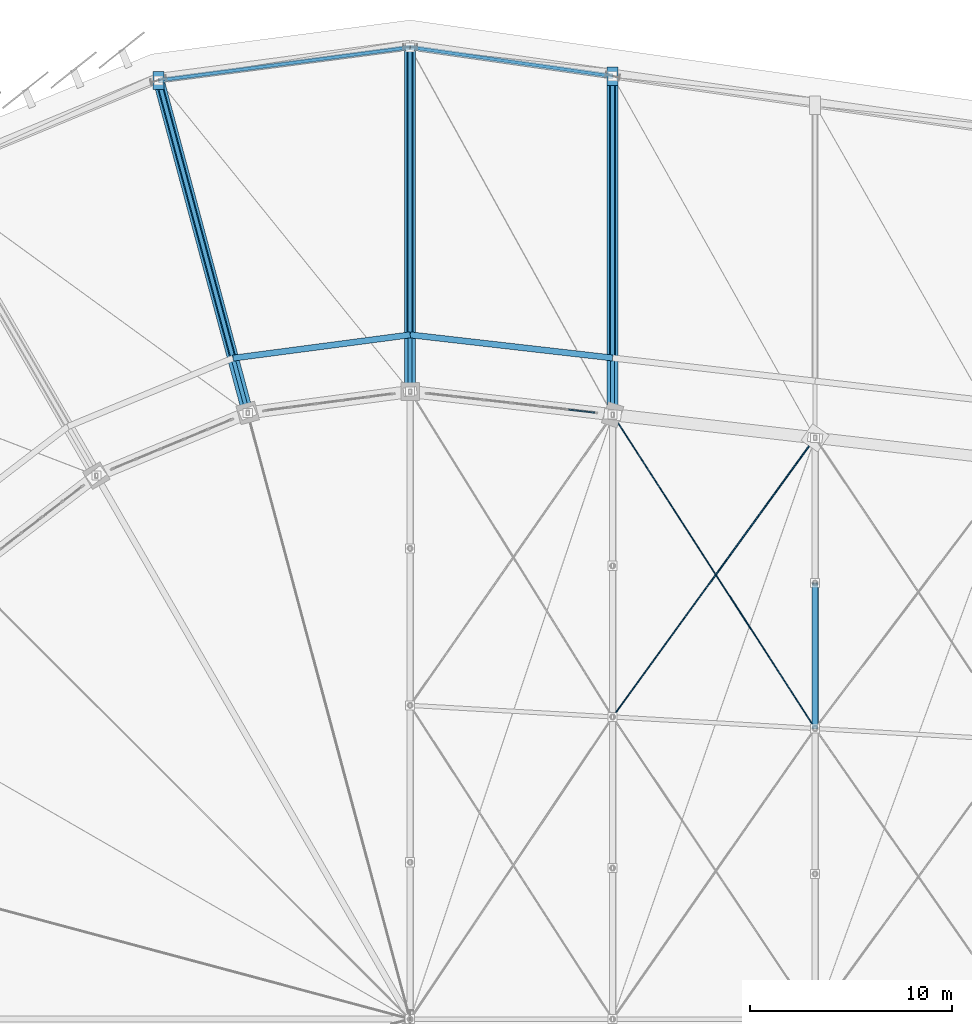
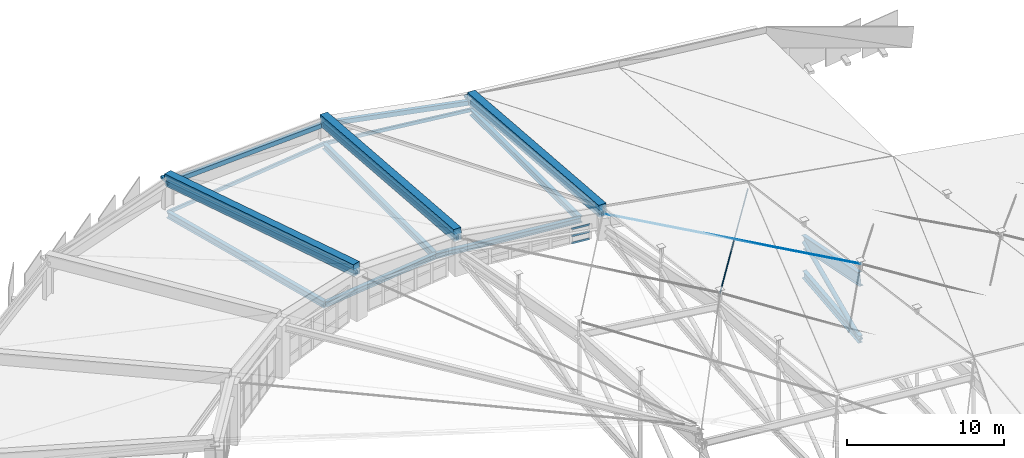
# One storey, part 35 of 68: 14 beams, 11 members, 1 element without a shape of its own.
"""IFC4 building model written with IfcOpenShell, lengths in metres."""

from ifc_helpers import new_model, si_unit, direction, frame, origin, origin_2d, place, context, subcontext, project, spatial, rectangle, hollow_rectangle, circle, hollow_circle, i_section, extrude, material, layer, layer_set, material_profile, profile_set, type_object, element, aggregate, save


model = new_model("IFC4")

# Units and contexts
model_context = context("Model", 3, precision=1e-05, world=origin(), true_north=direction((0.0, 1.0)))
body_context = subcontext(model_context, "Body", "Model", "MODEL_VIEW")
ifc_project = project(units=[si_unit("LENGTHUNIT", "METRE"), si_unit("AREAUNIT", "SQUARE_METRE"), si_unit("VOLUMEUNIT", "CUBIC_METRE"), si_unit("PLANEANGLEUNIT", "RADIAN"), si_unit("MASSUNIT", "GRAM", prefix="KILO")], contexts=[model_context])

# Site, building, storey
site_placement = place(None, origin())
site = spatial("IfcSite", under=ifc_project, at=site_placement, CompositionType="ELEMENT")
building_placement = place(site_placement, origin())
building = spatial("IfcBuilding", under=site, at=building_placement, Name="Sohan Crest Arena", CompositionType="ELEMENT")
storey_placement = place(building_placement, frame((0.0, 0.0, 27.0)))
storey = spatial("IfcBuildingStorey", under=building, at=storey_placement, Name="RF", CompositionType="ELEMENT", Elevation=27.0)

# Curtain wall, members
ifc_material_1 = material(Name="Thermally broken anodised aluminium", Category="aluminium")
ifc_layer = layer(ifc_material_1, 0.18994140625, Name="Thermally broken anodised aluminium")
ifc_layer_set = layer_set([ifc_layer], Name="Thermally broken anodised aluminium")
curtain_wall_type = type_object("IfcCurtainWallType", Name="ARC-CW05", PredefinedType="NOTDEFINED", material=ifc_layer_set)
curtain_wall_placement = place(storey_placement, origin())
curtain_wall = element("IfcCurtainWall", 1, at=curtain_wall_placement, inside=storey, type_object=curtain_wall_type, Name="Unitised curtain wall CW-201", PredefinedType="NOTDEFINED")
ifc_material_profile_1 = material_profile(ifc_material_1, rectangle(XDim=0.06494140625, YDim=0.139892578125, at=origin_2d()), Name="ALU-TRAN 65x140")
ifc_profile_set_1 = profile_set([ifc_material_profile_1], Name="Thermally broken anodised aluminium")
member_type_1 = type_object("IfcMemberType", Name="ARC-CW-TR02", PredefinedType="USERDEFINED", material=ifc_profile_set_1)
member_1_placement = place(storey_placement, frame((107.115478515625, 107.9580078125, 0.032470703125), z_axis=(-0.993537517414, 0.113504191511, 0.0), x_axis=(-0.113504191511, -0.993537517414, 0.0)))
member_1 = element("IfcMember", 2, at=member_1_placement, type_object=member_type_1, Name="CW-201 transom 1.1", ObjectType="TRANSOM", PredefinedType="USERDEFINED", context=body_context, shape_type="SweptSolid", body=[
    extrude(rectangle(XDim=0.06494140625, YDim=0.139892578125, at=origin_2d()), origin(), (0.0, 0.0, 1.0), 1.299072265625),
])
member_2_placement = place(storey_placement, frame((107.115478515625, 107.9580078125, 0.583984375), z_axis=(-0.993537517414, 0.113504191511, 0.0), x_axis=(-0.113504191511, -0.993537517414, 0.0)))
member_2 = element("IfcMember", 3, at=member_2_placement, type_object=member_type_1, Name="CW-201 transom 1.2", ObjectType="TRANSOM", PredefinedType="USERDEFINED", context=body_context, shape_type="SweptSolid", body=[
    extrude(rectangle(XDim=0.06494140625, YDim=0.139892578125, at=origin_2d()), origin(), (0.0, 0.0, 1.0), 1.299072265625),
])
member_3_placement = place(storey_placement, frame((107.115478515625, 107.9580078125, 1.134521484375), z_axis=(-0.993537517414, 0.113504191511, 0.0), x_axis=(-0.113504191511, -0.993537517414, 0.0)))
member_3 = element("IfcMember", 4, at=member_3_placement, type_object=member_type_1, Name="CW-201 transom 1.3", ObjectType="TRANSOM", PredefinedType="USERDEFINED", context=body_context, shape_type="SweptSolid", body=[
    extrude(rectangle(XDim=0.06494140625, YDim=0.139892578125, at=origin_2d()), origin(), (0.0, 0.0, 1.0), 1.299072265625),
])
aggregate(curtain_wall, [member_1, member_2, member_3])

# Beams
ifc_material_2 = material(Name="Steel S355", Category="steel")
ifc_material_profile_2 = material_profile(ifc_material_2, i_section(OverallWidth=0.300048828125, OverallDepth=0.389892578125, WebThickness=0.010986328125, FlangeThickness=0.01904296875, at=origin_2d()), Name="HEA 400")
ifc_profile_set_2 = profile_set([ifc_material_profile_2], Name="Steel S355")
beam_type_1 = type_object("IfcBeamType", Name="STR-BM-B09", PredefinedType="BEAM", material=ifc_profile_set_2)
beam_1_placement = place(storey_placement, frame((98.0, 111.800048828125, -0.4150390625), z_axis=(-0.991439032147, -0.130570461953, 0.0), x_axis=(0.130570461953, -0.991439032147, 0.0)))
element("IfcBeam", 5, at=beam_1_placement, inside=storey, type_object=beam_type_1, Name="Structural beam RG-RF-1867", PredefinedType="BEAM", context=body_context, shape_type="SweptSolid", body=[
    extrude(i_section(OverallWidth=0.300048828125, OverallDepth=0.389892578125, WebThickness=0.010986328125, FlangeThickness=0.01904296875, at=origin_2d()), origin(), (0.0, 0.0, 1.0), 8.823486328125),
])
beam_2_placement = place(storey_placement, frame((108.0, 110.656982421875, -0.4150390625), z_axis=(-0.99353032697, 0.113567114035, 0.0), x_axis=(-0.113567114035, -0.99353032697, 0.0)))
element("IfcBeam", 6, at=beam_2_placement, inside=storey, type_object=beam_type_1, Name="Structural beam RG-RF-1919", PredefinedType="BEAM", context=body_context, shape_type="SweptSolid", body=[
    extrude(i_section(OverallWidth=0.300048828125, OverallDepth=0.389892578125, WebThickness=0.010986328125, FlangeThickness=0.01904296875, at=origin_2d()), origin(), (0.0, 0.0, 1.0), 10.065185546875),
])
ifc_material_profile_3 = material_profile(ifc_material_2, i_section(OverallWidth=0.300048828125, OverallDepth=0.489990234375, WebThickness=0.011962890625, FlangeThickness=0.02294921875, at=origin_2d()), Name="HEA 500")
ifc_profile_set_3 = profile_set([ifc_material_profile_3], Name="Steel S355")
beam_type_2 = type_object("IfcBeamType", Name="STR-BM-B10", PredefinedType="BEAM", material=ifc_profile_set_3)
for number, where, z_axis, x_axis, name in (
    (7, (98.0, 111.800048828125, -0.465087890625), (0.0, 1.0, 0.0), (-1.0, 0.0, 0.0), "Structural beam RG-RF-1865"),
    (8, (89.251953125, 110.64794921875, -0.465087890625), (-0.258808560729, 0.965928635508, 0.0), (-0.965928635508, -0.258808560729, 0.0), "Structural beam RG-RF-1868"),
):
    element("IfcBeam", number, at=place(storey_placement, frame(where, z_axis=z_axis, x_axis=x_axis)), inside=storey, type_object=beam_type_2, Name=name, PredefinedType="BEAM", context=body_context, shape_type="SweptSolid", body=[
        extrude(i_section(OverallWidth=0.300048828125, OverallDepth=0.489990234375, WebThickness=0.011962890625, FlangeThickness=0.02294921875, at=origin_2d()), origin(), (0.0, 0.0, 1.0), 14.199951171875),
    ])
beam_3_placement = place(storey_placement, frame((108.0, 110.656982421875, -0.465087890625), z_axis=(0.0, 1.0, 0.0), x_axis=(-1.0, 0.0, 0.0)))
element("IfcBeam", 9, at=beam_3_placement, inside=storey, type_object=beam_type_2, Name="Structural beam RG-RF-1917", PredefinedType="BEAM", context=body_context, shape_type="SweptSolid", body=[
    extrude(i_section(OverallWidth=0.300048828125, OverallDepth=0.489990234375, WebThickness=0.011962890625, FlangeThickness=0.02294921875, at=origin_2d()), origin(), (0.0, 0.0, 1.0), 13.9140625),
])
ifc_material_profile_4 = material_profile(ifc_material_2, i_section(OverallWidth=0.300048828125, OverallDepth=0.60009765625, WebThickness=0.015380859375, FlangeThickness=0.030029296875, at=origin_2d()), Name="HEB 600")
ifc_profile_set_4 = profile_set([ifc_material_profile_4], Name="Steel S355")
beam_type_3 = type_object("IfcBeamType", Name="STR-BM-B15", PredefinedType="BEAM", material=ifc_profile_set_4)
beam_4_placement = place(storey_placement, frame((118.0, 92.35693359375, -2.1630859375), z_axis=(0.0, 0.994585605734, 0.103920512255), x_axis=(-1.0, 0.0, 0.0)))
element("IfcBeam", 10, at=beam_4_placement, inside=storey, type_object=beam_type_3, Name="Structural beam RAB-RF-3061", PredefinedType="BEAM", context=body_context, shape_type="SweptSolid", body=[
    extrude(i_section(OverallWidth=0.300048828125, OverallDepth=0.60009765625, WebThickness=0.015380859375, FlangeThickness=0.030029296875, at=origin_2d()), origin(), (0.0, 0.0, 1.0), 7.217041015625),
])
ifc_material_profile_5 = material_profile(ifc_material_2, i_section(OverallWidth=0.300048828125, OverallDepth=1.0, WebThickness=0.01904296875, FlangeThickness=0.035888671875, at=origin_2d()), Name="HEB 1000")
ifc_profile_set_5 = profile_set([ifc_material_profile_5], Name="Steel S355")
beam_type_4 = type_object("IfcBeamType", Name="STR-BM-B19", PredefinedType="BEAM", material=ifc_profile_set_5)
beam_5_placement = place(storey_placement, frame((118.0, 92.35693359375, 2.52392578125), z_axis=(0.0, 0.980389115196, -0.197071516983), x_axis=(-1.0, 0.0, 0.0)))
element("IfcBeam", 11, at=beam_5_placement, inside=storey, type_object=beam_type_4, Name="Structural beam RA-RF-3060", PredefinedType="BEAM", context=body_context, shape_type="SweptSolid", body=[
    extrude(i_section(OverallWidth=0.300048828125, OverallDepth=1.0, WebThickness=0.01904296875, FlangeThickness=0.035888671875, at=origin_2d()), origin(), (0.0, 0.0, 1.0), 7.321533203125),
])
ifc_material_3 = material(Name="Precast concrete C50/60", Category="concrete")
ifc_material_profile_6 = material_profile(ifc_material_3, rectangle(XDim=0.550048828125, YDim=0.89990234375, at=origin_2d()), Name="RAKER 550x900")
ifc_profile_set_6 = profile_set([ifc_material_profile_6], Name="Precast concrete C50/60")
beam_type_5 = type_object("IfcBeamType", Name="STR-BM-RK01", PredefinedType="USERDEFINED", material=ifc_profile_set_6)
beam_6_placement = place(storey_placement, frame((98.0, 109.0, 2.89111328125), z_axis=(0.0, 0.996861269151, -0.079168239005), x_axis=(-1.0, 0.0, 0.0)))
element("IfcBeam", 12, at=beam_6_placement, inside=storey, type_object=beam_type_5, Name="Perimeter radial apron raker RKB-01", ObjectType="RAKER", PredefinedType="USERDEFINED", context=body_context, shape_type="SweptSolid", body=[
    extrude(rectangle(XDim=0.550048828125, YDim=0.89990234375, at=origin_2d()), origin(), (0.0, 0.0, 1.0), 17.053466796875),
])
beam_7_placement = place(storey_placement, frame((89.97705078125, 107.944091796875, 3.657958984375), z_axis=(-0.25803107016, 0.962888401192, -0.079157398153), x_axis=(-0.965919330438, -0.258843286733, 0.0)))
element("IfcBeam", 13, at=beam_7_placement, inside=storey, type_object=beam_type_5, Name="Perimeter radial apron raker RKB-02", ObjectType="RAKER", PredefinedType="USERDEFINED", context=body_context, shape_type="SweptSolid", body=[
    extrude(rectangle(XDim=0.550048828125, YDim=0.89990234375, at=origin_2d()), origin(), (0.0, 0.0, 1.0), 17.052734375),
])
beam_8_placement = place(storey_placement, frame((85.576904296875, 124.364013671875, 2.30810546875), z_axis=(0.0, 0.0, -1.0), x_axis=(1.0, 0.0, 0.0)))
element("IfcBeam", 14, at=beam_8_placement, inside=storey, type_object=beam_type_5, Name="Perimeter cantilever nose bracket RKC-02", ObjectType="RAKER", PredefinedType="USERDEFINED", context=body_context, shape_type="SweptSolid", body=[
    extrude(rectangle(XDim=0.550048828125, YDim=0.89990234375, at=origin_2d()), origin(), (0.0, 0.0, 1.0), 0.2001953125),
])
beam_9_placement = place(storey_placement, frame((108.0, 107.85693359375, 1.962890625), z_axis=(0.0, 0.996754672322, -0.080499212446), x_axis=(-1.0, 0.0, 0.0)))
element("IfcBeam", 15, at=beam_9_placement, inside=storey, type_object=beam_type_5, Name="Perimeter radial apron raker RKB-34", ObjectType="RAKER", PredefinedType="USERDEFINED", context=body_context, shape_type="SweptSolid", body=[
    extrude(rectangle(XDim=0.550048828125, YDim=0.89990234375, at=origin_2d()), origin(), (0.0, 0.0, 1.0), 16.7685546875),
])
beam_10_placement = place(storey_placement, frame((108.0, 124.571044921875, 0.613037109375), z_axis=(0.0, 0.0, -1.0), x_axis=(1.0, 0.0, 0.0)))
element("IfcBeam", 16, at=beam_10_placement, inside=storey, type_object=beam_type_5, Name="Perimeter cantilever nose bracket RKC-34", ObjectType="RAKER", PredefinedType="USERDEFINED", context=body_context, shape_type="SweptSolid", body=[
    extrude(rectangle(XDim=0.550048828125, YDim=0.89990234375, at=origin_2d()), origin(), (0.0, 0.0, 1.0), 0.199951171875),
])
ifc_material_profile_7 = material_profile(ifc_material_2, hollow_rectangle(XDim=0.14990234375, YDim=0.25, WallThickness=0.010009765625, at=origin_2d()), Name="RHS 250x150x10")
ifc_profile_set_7 = profile_set([ifc_material_profile_7], Name="Steel S355")
beam_type_6 = type_object("IfcBeamType", Name="STR-BM-SP02", PredefinedType="SPANDREL", material=ifc_profile_set_7)
beam_11_placement = place(storey_placement, frame((98.0, 126.0, -0.344970703125), z_axis=(-0.991440164207, -0.130561865783, 0.0), x_axis=(0.130561865783, -0.991440164207, 0.0)))
element("IfcBeam", 17, at=beam_11_placement, inside=storey, type_object=beam_type_6, Name="Structural beam SP-RF-1866", PredefinedType="SPANDREL", context=body_context, shape_type="SweptSolid", body=[
    extrude(hollow_rectangle(XDim=0.14990234375, YDim=0.25, WallThickness=0.010009765625, at=origin_2d()), origin(), (0.0, 0.0, 1.0), 12.5302734375),
])
beam_12_placement = place(storey_placement, frame((108.0, 124.571044921875, -0.344970703125), z_axis=(-0.989944175879, 0.141458575718, 0.0), x_axis=(-0.141458575718, -0.989944175879, 0.0)))
element("IfcBeam", 18, at=beam_12_placement, inside=storey, type_object=beam_type_6, Name="Structural beam SP-RF-1918", PredefinedType="SPANDREL", context=body_context, shape_type="SweptSolid", body=[
    extrude(hollow_rectangle(XDim=0.14990234375, YDim=0.25, WallThickness=0.010009765625, at=origin_2d()), origin(), (0.0, 0.0, 1.0), 10.1015625),
])

# Members
ifc_material_profile_8 = material_profile(ifc_material_2, hollow_circle(Radius=0.161865234375, WallThickness=0.012451171875, at=origin_2d()), Name="CHS 323.9x12.5")
ifc_profile_set_8 = profile_set([ifc_material_profile_8], Name="Steel S355")
member_type_2 = type_object("IfcMemberType", Name="STR-MEM-BR03", PredefinedType="BRACE", material=ifc_profile_set_8)
member_4_placement = place(storey_placement, frame((118.0, 92.35693359375, -2.1630859375), z_axis=(0.0, 0.91125280146, 0.411847461848), x_axis=(-1.0, 0.0, 0.0)))
element("IfcMember", 19, at=member_4_placement, inside=storey, type_object=member_type_2, Name="Lenticular roof truss web diagonal TD-130", PredefinedType="BRACE", context=body_context, shape_type="SweptSolid", body=[
    extrude(hollow_circle(Radius=0.161865234375, WallThickness=0.012451171875, at=origin_2d()), origin(), (0.0, 0.0, 1.0), 7.876953125),
])
ifc_material_4 = material(Name="Steel S460", Category="steel")
ifc_material_profile_9 = material_profile(ifc_material_4, circle(Radius=0.031982421875, at=origin_2d()), Name="FLC D64")
ifc_profile_set_9 = profile_set([ifc_material_profile_9], Name="Steel S460")
member_type_3 = type_object("IfcMemberType", Name="STR-MEM-CB01", PredefinedType="USERDEFINED", material=ifc_profile_set_9)
member_5_placement = place(storey_placement, frame((108.0, 92.927978515625, 4.60107421875), z_axis=(0.573183586843, 0.790198505417, -0.216902968654), x_axis=(-0.809469407214, 0.58716205496, 0.0)))
element("IfcMember", 20, at=member_5_placement, inside=storey, type_object=member_type_3, Name="Full-locked-coil roof cable CB-015", ObjectType="CABLE", PredefinedType="USERDEFINED", context=body_context, shape_type="SweptSolid", body=[
    extrude(circle(Radius=0.031982421875, at=origin_2d()), origin(), (0.0, 0.0, 1.0), 17.446533203125),
])
ifc_material_profile_10 = material_profile(ifc_material_4, circle(Radius=0.02587890625, at=origin_2d()), Name="FLC D52")
ifc_profile_set_10 = profile_set([ifc_material_profile_10], Name="Steel S460")
member_type_4 = type_object("IfcMemberType", Name="STR-MEM-CB02", PredefinedType="USERDEFINED", material=ifc_profile_set_10)
member_6_placement = place(storey_placement, frame((108.0, 107.85693359375, 1.712890625), z_axis=(0.538995518101, -0.835443053056, 0.107325377091), x_axis=(0.840296648224, 0.542126869822, 0.0)))
element("IfcMember", 21, at=member_6_placement, inside=storey, type_object=member_type_4, Name="Full-locked-coil roof cable CB-016", ObjectType="CABLE", PredefinedType="USERDEFINED", context=body_context, shape_type="SweptSolid", body=[
    extrude(circle(Radius=0.02587890625, at=origin_2d()), origin(), (0.0, 0.0, 1.0), 18.552978515625),
])
ifc_material_profile_11 = material_profile(ifc_material_2, hollow_rectangle(XDim=0.199951171875, YDim=0.300048828125, WallThickness=0.010009765625, at=origin_2d()), Name="RHS 300x200x10")
ifc_profile_set_11 = profile_set([ifc_material_profile_11], Name="Steel S355")
member_type_5 = type_object("IfcMemberType", Name="STR-MEM-CH03", PredefinedType="CHORD", material=ifc_profile_set_11)
member_7_placement = place(storey_placement, frame((98.0, 109.0, 2.64111328125), z_axis=(0.0, 0.996381215354, -0.084996903998), x_axis=(-1.0, 0.0, 0.0)))
element("IfcMember", 22, at=member_7_placement, inside=storey, type_object=member_type_5, Name="Outer roof-edge radial tie chord ORT-01", PredefinedType="CHORD", context=body_context, shape_type="SweptSolid", body=[
    extrude(hollow_rectangle(XDim=0.199951171875, YDim=0.300048828125, WallThickness=0.010009765625, at=origin_2d()), origin(), (0.0, 0.0, 1.0), 17.061767578125),
])
member_8_placement = place(storey_placement, frame((89.97705078125, 107.944091796875, 3.407958984375), z_axis=(-0.2579068221, 0.962424747663, -0.084986329493), x_axis=(-0.965919330438, -0.258843286733, 0.0)))
element("IfcMember", 23, at=member_8_placement, inside=storey, type_object=member_type_5, Name="Outer roof-edge radial tie chord ORT-02", PredefinedType="CHORD", context=body_context, shape_type="SweptSolid", body=[
    extrude(hollow_rectangle(XDim=0.199951171875, YDim=0.300048828125, WallThickness=0.010009765625, at=origin_2d()), origin(), (0.0, 0.0, 1.0), 17.06103515625),
])
member_9_placement = place(storey_placement, frame((108.0, 107.85693359375, 1.712890625), z_axis=(0.0, 0.99625831388, -0.086425528785), x_axis=(-1.0, 0.0, 0.0)))
element("IfcMember", 24, at=member_9_placement, inside=storey, type_object=member_type_5, Name="Outer roof-edge radial tie chord ORT-34", PredefinedType="CHORD", context=body_context, shape_type="SweptSolid", body=[
    extrude(hollow_rectangle(XDim=0.199951171875, YDim=0.300048828125, WallThickness=0.010009765625, at=origin_2d()), origin(), (0.0, 0.0, 1.0), 16.77685546875),
])
ifc_material_profile_12 = material_profile(ifc_material_2, hollow_rectangle(XDim=0.25, YDim=0.35009765625, WallThickness=0.012451171875, at=origin_2d()), Name="RHS 350x250x12.5")
ifc_profile_set_12 = profile_set([ifc_material_profile_12], Name="Steel S355")
member_type_6 = type_object("IfcMemberType", Name="STR-MEM-CH04", PredefinedType="CHORD", material=ifc_profile_set_12)
member_10_placement = place(storey_placement, frame((98.0, 126.0, 1.19091796875), z_axis=(-0.989587555424, -0.130317897394, 0.061104138727), x_axis=(0.130561865783, -0.991440164207, 0.0)))
element("IfcMember", 25, at=member_10_placement, inside=storey, type_object=member_type_6, Name="Outer roof-edge truss chord ORB-01", PredefinedType="CHORD", context=body_context, shape_type="SweptSolid", body=[
    extrude(hollow_rectangle(XDim=0.25, YDim=0.35009765625, WallThickness=0.012451171875, at=origin_2d()), origin(), (0.0, 0.0, 1.0), 12.5537109375),
])
member_11_placement = place(storey_placement, frame((108.0, 124.571044921875, 0.262939453125), z_axis=(-0.98579330007, 0.140865434212, 0.091479500331), x_axis=(-0.141458575718, -0.989944175879, 0.0)))
element("IfcMember", 26, at=member_11_placement, inside=storey, type_object=member_type_6, Name="Outer roof-edge truss chord ORB-34", PredefinedType="CHORD", context=body_context, shape_type="SweptSolid", body=[
    extrude(hollow_rectangle(XDim=0.25, YDim=0.35009765625, WallThickness=0.012451171875, at=origin_2d()), origin(), (0.0, 0.0, 1.0), 10.14404296875),
])

save(model, "model.ifc")
